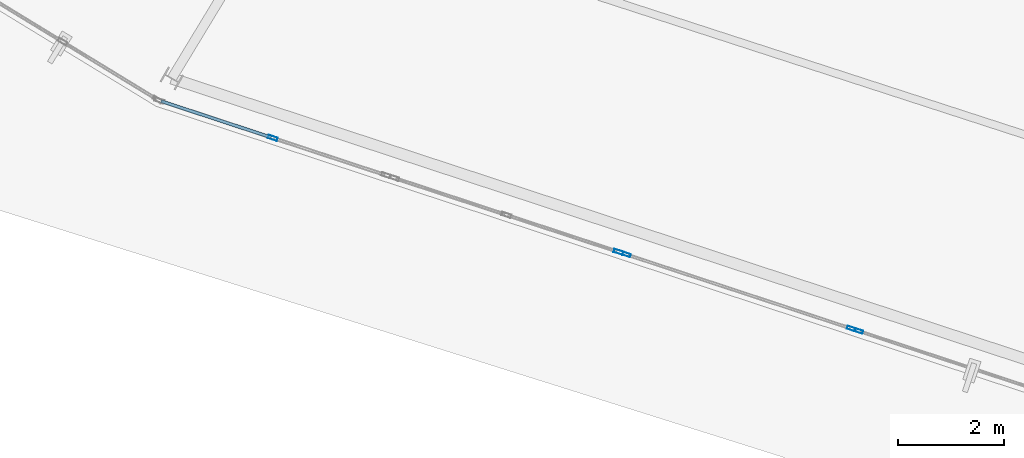
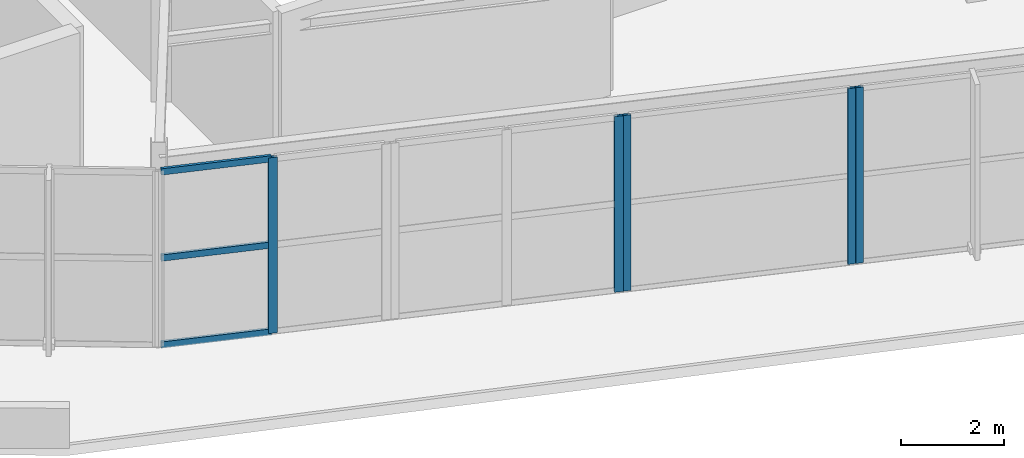
# One storey, part 20 of 126: 8 members, 4 elements without a shape of their own.
"""IFC4 building model written with IfcOpenShell, lengths in metres."""

from ifc_helpers import new_model, si_unit, direction, frame, origin, origin_2d, place, context, subcontext, project, spatial, hollow_rectangle, extrude, material, layer, layer_set, material_profile, profile_set, type_object, element, aggregate, save


model = new_model("IFC4")

# Units and contexts
model_context = context("Model", 3, precision=1e-05, world=origin(), true_north=direction((0.0, 1.0)))
body_context = subcontext(model_context, "Body", "Model", "MODEL_VIEW")
ifc_project = project(units=[si_unit("LENGTHUNIT", "METRE"), si_unit("AREAUNIT", "SQUARE_METRE"), si_unit("VOLUMEUNIT", "CUBIC_METRE"), si_unit("PLANEANGLEUNIT", "RADIAN"), si_unit("MASSUNIT", "GRAM", prefix="KILO")], contexts=[model_context])

# Site, building, storey
site_placement = place(None, origin())
site = spatial("IfcSite", under=ifc_project, at=site_placement, CompositionType="ELEMENT")
building_placement = place(site_placement, origin())
building = spatial("IfcBuilding", under=site, at=building_placement, Name="Kalgoora Escarpment Arena", CompositionType="ELEMENT")
storey_placement = place(building_placement, frame((0.0, 0.0, 18.89990234375)))
storey = spatial("IfcBuildingStorey", under=building, at=storey_placement, Name="L04", CompositionType="ELEMENT", Elevation=18.89990234375)

# Curtain wall, member
ifc_material_1 = material(Name=" Champagne anodised aluminium & double-glazed low-E", Category="aluminium")
ifc_layer_1 = layer(ifc_material_1, 0.166015625)
ifc_layer_set_1 = layer_set([ifc_layer_1], Name="CW-UNIT-19")
curtain_wall_type_1 = type_object("IfcCurtainWallType", Name="CW-UNIT-19", PredefinedType="NOTDEFINED", material=ifc_layer_set_1)
curtain_wall_1_placement = place(storey_placement, origin())
curtain_wall_1 = element("IfcCurtainWall", 1, at=curtain_wall_1_placement, inside=storey, type_object=curtain_wall_type_1, Name="L04 unitised facade curtain wall 118", PredefinedType="NOTDEFINED")
ifc_material_2 = material(Name="Anodised aluminium 6063-T6", Category="aluminium")
ifc_material_profile_1 = material_profile(ifc_material_2, hollow_rectangle(XDim=0.06005859375, YDim=0.14990234375, WallThickness=0.00341796875, at=origin_2d()))
ifc_profile_set_1 = profile_set([ifc_material_profile_1], Name="Anodised aluminium 6063-T6")
member_type_1 = type_object("IfcMemberType", Name="MEM-CW-MULL-150", PredefinedType="MULLION", material=ifc_profile_set_1)
member_1_placement = place(storey_placement, frame((69.40966796875, 9.89013671875, 0.02001953125), z_axis=(0.0, 0.0, 1.0), x_axis=(-0.312979322933, -0.949759939888, 0.0)))
member_1 = element("IfcMember", 2, at=member_1_placement, type_object=member_type_1, Name="CW-19 mullion 2", PredefinedType="MULLION", context=body_context, shape_type="SweptSolid", body=[
    extrude(hollow_rectangle(XDim=0.06005859375, YDim=0.14990234375, WallThickness=0.00341796875, at=origin_2d()), origin(), (0.0, 0.0, 1.0), 4.150146484375),
])
aggregate(curtain_wall_1, [member_1])

# Curtain wall, members
ifc_material_3 = material(Name=" Champagne anodised aluminium & double-glazed low-E", Category="aluminium")
ifc_layer_2 = layer(ifc_material_3, 0.14990234375)
ifc_layer_set_2 = layer_set([ifc_layer_2], Name="CW-UNIT-20")
curtain_wall_type_2 = type_object("IfcCurtainWallType", Name="CW-UNIT-20", PredefinedType="NOTDEFINED", material=ifc_layer_set_2)
curtain_wall_2_placement = place(storey_placement, origin())
curtain_wall_2 = element("IfcCurtainWall", 3, at=curtain_wall_2_placement, inside=storey, type_object=curtain_wall_type_2, Name="L04 unitised facade curtain wall 119", PredefinedType="NOTDEFINED")
member_2_placement = place(storey_placement, frame((69.2578125, 9.940185546875, 0.02001953125), z_axis=(0.0, 0.0, 1.0), x_axis=(-0.312969878028, -0.949763052265, 0.0)))
member_2 = element("IfcMember", 4, at=member_2_placement, type_object=member_type_1, Name="CW-20 mullion 1", PredefinedType="MULLION", context=body_context, shape_type="SweptSolid", body=[
    extrude(hollow_rectangle(XDim=0.06005859375, YDim=0.14990234375, WallThickness=0.00341796875, at=origin_2d()), origin(), (0.0, 0.0, 1.0), 4.150146484375),
])
member_3_placement = place(storey_placement, frame((65.044189453125, 11.32861328125, 0.02001953125), z_axis=(0.0, 0.0, 1.0), x_axis=(-0.312969878028, -0.949763052265, 0.0)))
member_3 = element("IfcMember", 5, at=member_3_placement, type_object=member_type_1, Name="CW-20 mullion 2", PredefinedType="MULLION", context=body_context, shape_type="SweptSolid", body=[
    extrude(hollow_rectangle(XDim=0.06005859375, YDim=0.14990234375, WallThickness=0.00341796875, at=origin_2d()), origin(), (0.0, 0.0, 1.0), 4.150146484375),
])
aggregate(curtain_wall_2, [member_2, member_3])

# Curtain wall, member
ifc_material_4 = material(Name=" Champagne anodised aluminium & double-glazed low-E", Category="aluminium")
ifc_layer_3 = layer(ifc_material_4, 0.154052734375)
ifc_layer_set_3 = layer_set([ifc_layer_3], Name="CW-UNIT-01")
curtain_wall_type_3 = type_object("IfcCurtainWallType", Name="CW-UNIT-01", PredefinedType="NOTDEFINED", material=ifc_layer_set_3)
curtain_wall_3_placement = place(storey_placement, origin())
curtain_wall_3 = element("IfcCurtainWall", 6, at=curtain_wall_3_placement, inside=storey, type_object=curtain_wall_type_3, Name="L04 unitised facade curtain wall 120", PredefinedType="NOTDEFINED")
ifc_material_5 = material(Name="Anodised aluminium 6063-T6", Category="aluminium")
ifc_material_profile_2 = material_profile(ifc_material_5, hollow_rectangle(XDim=0.06494140625, YDim=0.179931640625, WallThickness=0.00390625, at=origin_2d()))
ifc_profile_set_2 = profile_set([ifc_material_profile_2], Name="Anodised aluminium 6063-T6")
member_type_2 = type_object("IfcMemberType", Name="MEM-CW-MULL-180", PredefinedType="MULLION", material=ifc_profile_set_2)
member_4_placement = place(storey_placement, frame((64.889892578125, 11.379638671875, 0.02001953125), z_axis=(0.0, 0.0, 1.0), x_axis=(-0.312989939956, -0.94975644114, 0.0)))
member_4 = element("IfcMember", 7, at=member_4_placement, type_object=member_type_2, Name="CW-01 mullion 1", PredefinedType="MULLION", context=body_context, shape_type="SweptSolid", body=[
    extrude(hollow_rectangle(XDim=0.06494140625, YDim=0.179931640625, WallThickness=0.00390625, at=origin_2d()), origin(), (0.0, 0.0, 1.0), 4.150146484375),
])
aggregate(curtain_wall_3, [member_4])

# Curtain wall, members
ifc_material_6 = material(Name=" Champagne anodised aluminium & double-glazed low-E", Category="aluminium")
ifc_layer_4 = layer(ifc_material_6, 0.157958984375)
ifc_layer_set_4 = layer_set([ifc_layer_4], Name="CW-UNIT-02")
curtain_wall_type_4 = type_object("IfcCurtainWallType", Name="CW-UNIT-02", PredefinedType="NOTDEFINED", material=ifc_layer_set_4)
curtain_wall_4_placement = place(storey_placement, origin())
curtain_wall_4 = element("IfcCurtainWall", 8, at=curtain_wall_4_placement, inside=storey, type_object=curtain_wall_type_4, Name="L04 unitised facade curtain wall 121", PredefinedType="NOTDEFINED")
member_5_placement = place(storey_placement, frame((58.396484375, 13.51953125, 0.02001953125), z_axis=(0.0, 0.0, 1.0), x_axis=(-0.312985861452, -0.949757785191, 0.0)))
member_5 = element("IfcMember", 9, at=member_5_placement, type_object=member_type_2, Name="CW-02 mullion 2", PredefinedType="MULLION", context=body_context, shape_type="SweptSolid", body=[
    extrude(hollow_rectangle(XDim=0.06494140625, YDim=0.179931640625, WallThickness=0.00390625, at=origin_2d()), origin(), (0.0, 0.0, 1.0), 4.150146484375),
])
ifc_material_7 = material(Name="Anodised aluminium 6063-T6", Category="aluminium")
ifc_material_profile_3 = material_profile(ifc_material_7, hollow_rectangle(XDim=0.06005859375, YDim=0.14990234375, WallThickness=0.00341796875, at=origin_2d()))
ifc_profile_set_3 = profile_set([ifc_material_profile_3], Name="Anodised aluminium 6063-T6")
member_type_3 = type_object("IfcMemberType", Name="MEM-CW-TRAN-150", PredefinedType="USERDEFINED", material=ifc_profile_set_3)
member_6_placement = place(storey_placement, frame((58.36572265625, 13.529541015625, 0.050048828125), z_axis=(-0.949766139008, 0.312960510597, 0.0), x_axis=(-0.312960510597, -0.949766139008, 0.0)))
member_6 = element("IfcMember", 10, at=member_6_placement, type_object=member_type_3, Name="CW-02 transom 2.1", ObjectType="TRANSOM", PredefinedType="USERDEFINED", context=body_context, shape_type="SweptSolid", body=[
    extrude(hollow_rectangle(XDim=0.06005859375, YDim=0.14990234375, WallThickness=0.00341796875, at=origin_2d()), origin(), (0.0, 0.0, 1.0), 2.17578125),
])
member_7_placement = place(storey_placement, frame((58.36572265625, 13.529541015625, 2.10498046875), z_axis=(-0.949766139008, 0.312960510597, 0.0), x_axis=(-0.312960510597, -0.949766139008, 0.0)))
member_7 = element("IfcMember", 11, at=member_7_placement, type_object=member_type_3, Name="CW-02 transom 2.2", ObjectType="TRANSOM", PredefinedType="USERDEFINED", context=body_context, shape_type="SweptSolid", body=[
    extrude(hollow_rectangle(XDim=0.06005859375, YDim=0.14990234375, WallThickness=0.00341796875, at=origin_2d()), origin(), (0.0, 0.0, 1.0), 2.17578125),
])
member_8_placement = place(storey_placement, frame((58.36572265625, 13.529541015625, 4.14013671875), z_axis=(-0.949766139008, 0.312960510597, 0.0), x_axis=(-0.312960510597, -0.949766139008, 0.0)))
member_8 = element("IfcMember", 12, at=member_8_placement, type_object=member_type_3, Name="CW-02 transom 2.3", ObjectType="TRANSOM", PredefinedType="USERDEFINED", context=body_context, shape_type="SweptSolid", body=[
    extrude(hollow_rectangle(XDim=0.06005859375, YDim=0.14990234375, WallThickness=0.00341796875, at=origin_2d()), origin(), (0.0, 0.0, 1.0), 2.17578125),
])
aggregate(curtain_wall_4, [member_5, member_6, member_7, member_8])

save(model, "model.ifc")
